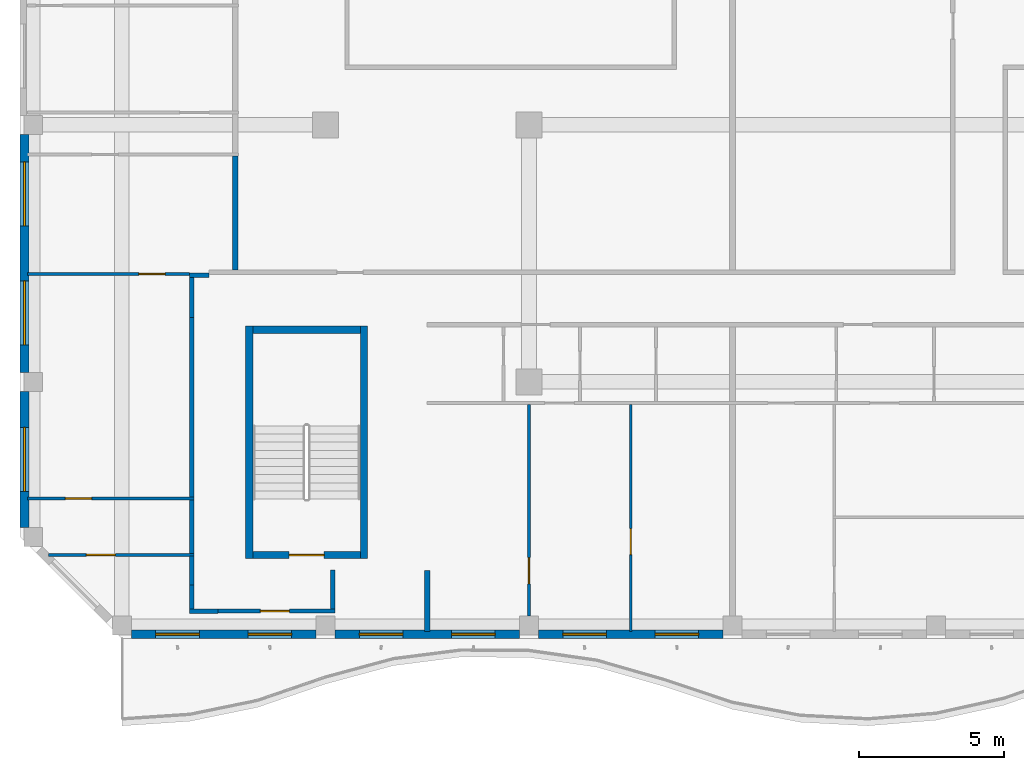
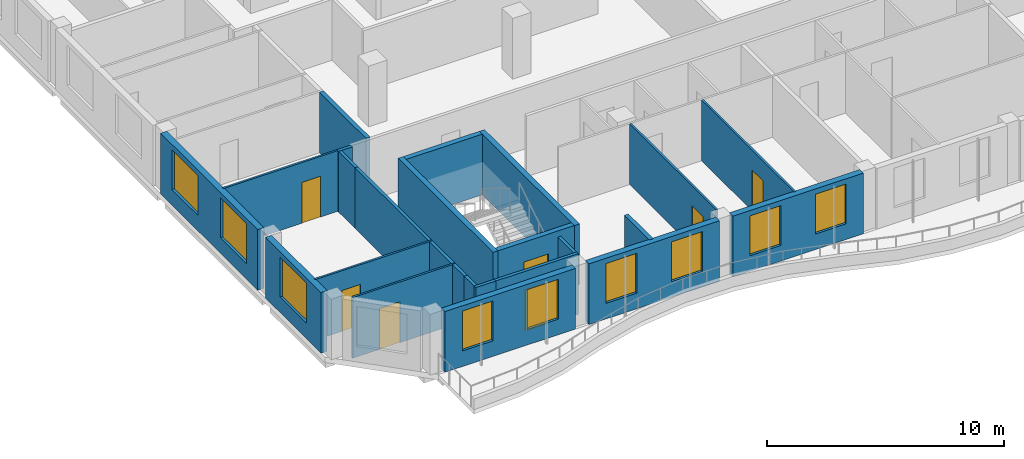
# One storey, part 2 of 18: 25 walls, 9 windows, 7 doors, 16 openings.
"""IFC4 building model written with IfcOpenShell, lengths in metres."""

from ifc_helpers import new_model, si_unit, direction, frame, frame_2d, origin, place, context, subcontext, project, spatial, rectangle, extrude, source, transform, mapped, material, layer, layer_set, type_object, element, fill, save


model = new_model("IFC4")

# Units and contexts
model_context = context("Model", 3, precision=1e-05, world=origin(), true_north=direction((0.0, 1.0)))
body_context = subcontext(model_context, "Body", "Model", "MODEL_VIEW")
ifc_project = project(units=[si_unit("LENGTHUNIT", "METRE"), si_unit("AREAUNIT", "SQUARE_METRE"), si_unit("VOLUMEUNIT", "CUBIC_METRE"), si_unit("PLANEANGLEUNIT", "RADIAN"), si_unit("MASSUNIT", "GRAM", prefix="KILO")], contexts=[model_context])

# Site, building, storey
site_placement = place(None, origin())
site = spatial("IfcSite", under=ifc_project, at=site_placement, CompositionType="ELEMENT")
building_placement = place(site_placement, origin())
building = spatial("IfcBuilding", under=site, at=building_placement, Name="Kilnfold Tower and Market Hall", CompositionType="ELEMENT")
storey_placement = place(building_placement, frame((0.0, 0.0, 277.199951171875)))
storey = spatial("IfcBuildingStorey", under=building, at=storey_placement, Name="L68", CompositionType="ELEMENT", Elevation=277.199951171875)

# Wall
ifc_material_1 = material(Name="Gypsum board on steel studs", Category="steel")
ifc_layer_1 = layer(ifc_material_1, 0.14990234375)
ifc_layer_set_1 = layer_set([ifc_layer_1], Name="Gypsum board on steel studs")
wall_type_1 = type_object("IfcWallType", Name="WALL CORRIDOR 150", PredefinedType="PARTITIONING", material=ifc_layer_set_1)
wall_1_placement = place(storey_placement, frame((-14.75, -17.47509765625, 0.0), z_axis=(0.0, 0.0, 1.0), x_axis=(0.0, 1.0, 0.0)))
element("IfcWall", 1, at=wall_1_placement, inside=storey, type_object=wall_type_1, Name="Partition LY42.1", PredefinedType="PARTITIONING", context=body_context, shape_type="SweptSolid", body=[
    extrude(rectangle(XDim=1.335205078125, YDim=0.14990234375, at=frame_2d((0.66748046875, 0.0))), origin(), (0.0, 0.0, 1.0), 3.1201171875),
])

# Wall, opening, door
wall_2_placement = place(storey_placement, frame((-18.697998046875, -17.550048828125, 0.0), z_axis=(0.0, 0.0, 1.0), x_axis=(1.0, 0.0, 0.0)))
wall_2 = element("IfcWall", 2, at=wall_2_placement, inside=storey, type_object=wall_type_1, Name="Partition LY42.2", PredefinedType="PARTITIONING", context=body_context, shape_type="SweptSolid", body=[
    extrude(rectangle(XDim=4.02294921875, YDim=0.14990234375, at=frame_2d((2.011474609375, 0.0))), origin(), (0.0, 0.0, 1.0), 3.1201171875),
])
opening_1_placement = place(wall_2_placement, frame((1.4599609375, 0.0, 0.0)))
opening_1 = element("IfcOpeningElement", 3, at=opening_1_placement, cuts=wall_2, Name="Opening D1", PredefinedType="OPENING", context=body_context, shape_type="SweptSolid", body=[
    extrude(rectangle(XDim=1.0, YDim=2.10009765625, at=frame_2d((0.5, 1.050048828125))), frame((0.0, 0.0849609375, 0.0), z_axis=(0.0, -1.0, 0.0), x_axis=(1.0, 0.0, 0.0)), (0.0, 0.0, 1.0), 0.169921875),
])
ifc_material_2 = material(Name="Timber veneer door leaf in steel frame", Category="steel")
door_type_1 = type_object("IfcDoorType", Name="DOOR ENTRY 1000 X2100", OperationType="NOTDEFINED", PredefinedType="DOOR", material=ifc_material_2)
door_1_placement = place(opening_1_placement, origin())
door_1 = element("IfcDoor", 4, at=door_1_placement, inside=storey, type_object=door_type_1, Name="Door D1", OperationType="SINGLE_SWING_RIGHT", OverallHeight=2.10009765625, OverallWidth=1.0, PredefinedType="DOOR", context=body_context, shape_type="SweptSolid", body=[
    extrude(rectangle(XDim=1.0, YDim=2.10009765625, at=frame_2d((0.5, 1.050048828125))), frame((0.0, 0.02490234375, 0.0), z_axis=(0.0, -1.0, 0.0), x_axis=(1.0, 0.0, 0.0)), (0.0, 0.0, 1.0), 0.050048828125),
])
fill(opening_1, door_1)

# Walls
wall_3_placement = place(storey_placement, frame((-19.677001953125, -17.552001953125, 0.0), z_axis=(0.0, 0.0, 1.0), x_axis=(1.0, 0.0, 0.0)))
element("IfcWall", 5, at=wall_3_placement, inside=storey, type_object=wall_type_1, Name="Partition LY42.3", PredefinedType="PARTITIONING", context=body_context, shape_type="SweptSolid", body=[
    extrude(rectangle(XDim=0.97900390625, YDim=0.14990234375, at=frame_2d((0.489501953125, 0.0))), origin(), (0.0, 0.0, 1.0), 3.1201171875),
])
wall_4_placement = place(storey_placement, frame((-19.60205078125, -17.47705078125, 0.0), z_axis=(0.0, 0.0, 1.0), x_axis=(0.0, 1.0, 0.0)))
element("IfcWall", 6, at=wall_4_placement, inside=storey, type_object=wall_type_1, Name="Partition LY42.4", PredefinedType="PARTITIONING", context=body_context, shape_type="SweptSolid", body=[
    extrude(rectangle(XDim=0.8291015625, YDim=0.14990234375, at=frame_2d((0.41455078125, 0.0))), origin(), (0.0, 0.0, 1.0), 3.1201171875),
])
wall_5_placement = place(storey_placement, frame((-19.60009765625, -16.64794921875, 0.0), z_axis=(0.0, 0.0, 1.0), x_axis=(0.0, 1.0, 0.0)))
element("IfcWall", 7, at=wall_5_placement, inside=storey, type_object=wall_type_1, Name="Partition LY42.5", PredefinedType="PARTITIONING", context=body_context, shape_type="SweptSolid", body=[
    extrude(rectangle(XDim=0.989990234375, YDim=0.14990234375, at=frame_2d((0.4951171875, 0.0))), origin(), (0.0, 0.0, 1.0), 3.1201171875),
])
wall_6_placement = place(storey_placement, frame((-19.60009765625, -15.577880859375, 0.0), z_axis=(0.0, 0.0, 1.0), x_axis=(0.0, 1.0, 0.0)))
element("IfcWall", 8, at=wall_6_placement, inside=storey, type_object=wall_type_1, Name="Partition LY42.6", PredefinedType="PARTITIONING", context=body_context, shape_type="SweptSolid", body=[
    extrude(rectangle(XDim=1.85498046875, YDim=0.14990234375, at=frame_2d((0.927490234375, 0.0))), origin(), (0.0, 0.0, 1.0), 3.1201171875),
])
wall_7_placement = place(storey_placement, frame((-19.0, -5.99609375, 0.0), z_axis=(0.0, 0.0, 1.0), x_axis=(-1.0, 0.0, 0.0)))
element("IfcWall", 9, at=wall_7_placement, inside=storey, type_object=wall_type_1, Name="Partition LY42.7", PredefinedType="PARTITIONING", context=body_context, shape_type="SweptSolid", body=[
    extrude(rectangle(XDim=0.677001953125, YDim=0.14990234375, at=frame_2d((0.33837890625, 0.0))), origin(), (0.0, 0.0, 1.0), 3.1201171875),
])
wall_8_placement = place(storey_placement, frame((-19.60009765625, -13.64306640625, 0.0), z_axis=(0.0, 0.0, 1.0), x_axis=(0.0, 1.0, 0.0)))
element("IfcWall", 10, at=wall_8_placement, inside=storey, type_object=wall_type_1, Name="Partition LY42.8", PredefinedType="PARTITIONING", context=body_context, shape_type="SweptSolid", body=[
    extrude(rectangle(XDim=6.191162109375, YDim=0.14990234375, at=frame_2d((3.095703125, 0.0))), origin(), (0.0, 0.0, 1.0), 3.1201171875),
])
wall_9_placement = place(storey_placement, frame((-19.60205078125, -7.451904296875, 0.0), z_axis=(0.0, 0.0, 1.0), x_axis=(0.0, 1.0, 0.0)))
element("IfcWall", 11, at=wall_9_placement, inside=storey, type_object=wall_type_1, Name="Partition LY42.9", PredefinedType="PARTITIONING", context=body_context, shape_type="SweptSolid", body=[
    extrude(rectangle(XDim=1.380859375, YDim=0.14990234375, at=frame_2d((0.6904296875, 0.0))), origin(), (0.0, 0.0, 1.0), 3.1201171875),
])

# Wall, opening, door
ifc_material_3 = material(Name="Gypsum board on steel studs", Category="steel")
ifc_layer_2 = layer(ifc_material_3, 0.10009765625)
ifc_layer_set_2 = layer_set([ifc_layer_2], Name="Gypsum board on steel studs")
wall_type_2 = type_object("IfcWallType", Name="WALL PARTITION 100", PredefinedType="PARTITIONING", material=ifc_layer_set_2)
wall_10_placement = place(storey_placement, frame((-19.527099609375, -15.617919921875, 0.0), z_axis=(0.0, 0.0, 1.0), x_axis=(-1.0, 0.0, 0.0)))
wall_10 = element("IfcWall", 12, at=wall_10_placement, inside=storey, type_object=wall_type_2, Name="Partition LY42.33", PredefinedType="PARTITIONING", context=body_context, shape_type="SweptSolid", body=[
    extrude(rectangle(XDim=5.0009765625, YDim=0.10009765625, at=frame_2d((2.50048828125, 0.0))), origin(), (0.0, 0.0, 1.0), 3.1201171875),
])
opening_2_placement = place(wall_10_placement, frame((2.700927734375, 0.0, 0.0)))
opening_2 = element("IfcOpeningElement", 13, at=opening_2_placement, cuts=wall_10, Name="Opening D1", PredefinedType="OPENING", context=body_context, shape_type="SweptSolid", body=[
    extrude(rectangle(XDim=1.0, YDim=2.10009765625, at=frame_2d((0.5, 1.050048828125))), frame((0.0, 0.06005859375, 0.0), z_axis=(0.0, -1.0, 0.0), x_axis=(1.0, 0.0, 0.0)), (0.0, 0.0, 1.0), 0.1201171875),
])
door_2_placement = place(opening_2_placement, origin())
door_2 = element("IfcDoor", 14, at=door_2_placement, inside=storey, type_object=door_type_1, Name="Door D1", OperationType="SINGLE_SWING_RIGHT", OverallHeight=2.10009765625, OverallWidth=1.0, PredefinedType="DOOR", context=body_context, shape_type="SweptSolid", body=[
    extrude(rectangle(XDim=1.0, YDim=2.10009765625, at=frame_2d((0.5, 1.050048828125))), frame((0.0, 0.02490234375, 0.0), z_axis=(0.0, -1.0, 0.0), x_axis=(1.0, 0.0, 0.0)), (0.0, 0.0, 1.0), 0.050048828125),
])
fill(opening_2, door_2)

wall_11_placement = place(storey_placement, frame((-19.527099609375, -13.68310546875, 0.0), z_axis=(0.0, 0.0, 1.0), x_axis=(-1.0, 0.0, 0.0)))
wall_11 = element("IfcWall", 15, at=wall_11_placement, inside=storey, type_object=wall_type_2, Name="Partition LY42.35", PredefinedType="PARTITIONING", context=body_context, shape_type="SweptSolid", body=[
    extrude(rectangle(XDim=5.722900390625, YDim=0.10009765625, at=frame_2d((2.861328125, 0.0))), origin(), (0.0, 0.0, 1.0), 3.1201171875),
])
opening_3_placement = place(wall_11_placement, frame((3.51708984375, 0.0, 0.0)))
opening_3 = element("IfcOpeningElement", 16, at=opening_3_placement, cuts=wall_11, Name="Opening D2", PredefinedType="OPENING", context=body_context, shape_type="SweptSolid", body=[
    extrude(rectangle(XDim=0.89990234375, YDim=2.10009765625, at=frame_2d((0.449951171875, 1.050048828125))), frame((0.0, 0.06005859375, 0.0), z_axis=(0.0, -1.0, 0.0), x_axis=(1.0, 0.0, 0.0)), (0.0, 0.0, 1.0), 0.1201171875),
])
ifc_material_4 = material(Name="Timber veneer door leaf in steel frame", Category="steel")
door_type_2 = type_object("IfcDoorType", Name="DOOR ROOM 900 X2100", OperationType="NOTDEFINED", PredefinedType="DOOR", material=ifc_material_4)
door_3_placement = place(opening_3_placement, origin())
door_3 = element("IfcDoor", 17, at=door_3_placement, inside=storey, type_object=door_type_2, Name="Door D2", OperationType="SINGLE_SWING_RIGHT", OverallHeight=2.10009765625, OverallWidth=0.89990234375, PredefinedType="DOOR", context=body_context, shape_type="SweptSolid", body=[
    extrude(rectangle(XDim=0.89990234375, YDim=2.10009765625, at=frame_2d((0.449951171875, 1.050048828125))), frame((0.0, 0.02490234375, 0.0), z_axis=(0.0, -1.0, 0.0), x_axis=(1.0, 0.0, 0.0)), (0.0, 0.0, 1.0), 0.050048828125),
])
fill(opening_3, door_3)

wall_12_placement = place(storey_placement, frame((-19.677001953125, -5.9580078125, 0.0), z_axis=(0.0, 0.0, 1.0), x_axis=(-1.0, 0.0, 0.0)))
wall_12 = element("IfcWall", 18, at=wall_12_placement, inside=storey, type_object=wall_type_2, Name="Partition LY42.36", PredefinedType="PARTITIONING", context=body_context, shape_type="SweptSolid", body=[
    extrude(rectangle(XDim=5.572998046875, YDim=0.10009765625, at=frame_2d((2.78662109375, 0.0))), origin(), (0.0, 0.0, 1.0), 3.1201171875),
])
opening_4_placement = place(wall_12_placement, frame((0.837890625, 0.0, 0.0)))
opening_4 = element("IfcOpeningElement", 19, at=opening_4_placement, cuts=wall_12, Name="Opening D2", PredefinedType="OPENING", context=body_context, shape_type="SweptSolid", body=[
    extrude(rectangle(XDim=0.89990234375, YDim=2.10009765625, at=frame_2d((0.449951171875, 1.050048828125))), frame((0.0, 0.06005859375, 0.0), z_axis=(0.0, -1.0, 0.0), x_axis=(1.0, 0.0, 0.0)), (0.0, 0.0, 1.0), 0.1201171875),
])
door_4_placement = place(opening_4_placement, origin())
door_4 = element("IfcDoor", 20, at=door_4_placement, inside=storey, type_object=door_type_2, Name="Door D2", OperationType="SINGLE_SWING_RIGHT", OverallHeight=2.10009765625, OverallWidth=0.89990234375, PredefinedType="DOOR", context=body_context, shape_type="SweptSolid", body=[
    extrude(rectangle(XDim=0.89990234375, YDim=2.10009765625, at=frame_2d((0.449951171875, 1.050048828125))), frame((0.0, 0.02490234375, 0.0), z_axis=(0.0, -1.0, 0.0), x_axis=(1.0, 0.0, 0.0)), (0.0, 0.0, 1.0), 0.050048828125),
])
fill(opening_4, door_4)

wall_13_placement = place(storey_placement, frame((-8.0, -17.72509765625, 0.0), z_axis=(0.0, 0.0, 1.0), x_axis=(0.0, 1.0, 0.0)))
wall_13 = element("IfcWall", 21, at=wall_13_placement, inside=storey, type_object=wall_type_2, Name="Partition LY42.51", PredefinedType="PARTITIONING", context=body_context, shape_type="SweptSolid", body=[
    extrude(rectangle(XDim=7.273193359375, YDim=0.10009765625, at=frame_2d((3.63671875, 0.0))), origin(), (0.0, 0.0, 1.0), 3.1201171875),
])
opening_5_placement = place(wall_13_placement, frame((1.111083984375, 0.0, 0.0)))
opening_5 = element("IfcOpeningElement", 22, at=opening_5_placement, cuts=wall_13, Name="Opening D2", PredefinedType="OPENING", context=body_context, shape_type="SweptSolid", body=[
    extrude(rectangle(XDim=0.89990234375, YDim=2.10009765625, at=frame_2d((0.449951171875, 1.050048828125))), frame((0.0, 0.06005859375, 0.0), z_axis=(0.0, -1.0, 0.0), x_axis=(1.0, 0.0, 0.0)), (0.0, 0.0, 1.0), 0.1201171875),
])
door_5_placement = place(opening_5_placement, origin())
door_5 = element("IfcDoor", 23, at=door_5_placement, inside=storey, type_object=door_type_2, Name="Door D2", OperationType="SINGLE_SWING_LEFT", OverallHeight=2.10009765625, OverallWidth=0.89990234375, PredefinedType="DOOR", context=body_context, shape_type="SweptSolid", body=[
    extrude(rectangle(XDim=0.89990234375, YDim=2.10009765625, at=frame_2d((0.449951171875, 1.050048828125))), frame((0.0, 0.02490234375, 0.0), z_axis=(0.0, -1.0, 0.0), x_axis=(1.0, 0.0, 0.0)), (0.0, 0.0, 1.0), 0.050048828125),
])
fill(opening_5, door_5)

wall_14_placement = place(storey_placement, frame((-4.5, -18.25, 0.0), z_axis=(0.0, 0.0, 1.0), x_axis=(0.0, 1.0, 0.0)))
wall_14 = element("IfcWall", 24, at=wall_14_placement, inside=storey, type_object=wall_type_2, Name="Partition LY42.52", PredefinedType="PARTITIONING", context=body_context, shape_type="SweptSolid", body=[
    extrude(rectangle(XDim=7.798095703125, YDim=0.10009765625, at=frame_2d((3.89892578125, 0.0))), origin(), (0.0, 0.0, 1.0), 3.1201171875),
])
opening_6_placement = place(wall_14_placement, frame((2.636962890625, 0.0, 0.0)))
opening_6 = element("IfcOpeningElement", 25, at=opening_6_placement, cuts=wall_14, Name="Opening D2", PredefinedType="OPENING", context=body_context, shape_type="SweptSolid", body=[
    extrude(rectangle(XDim=0.89990234375, YDim=2.10009765625, at=frame_2d((0.449951171875, 1.050048828125))), frame((0.0, 0.06005859375, 0.0), z_axis=(0.0, -1.0, 0.0), x_axis=(1.0, 0.0, 0.0)), (0.0, 0.0, 1.0), 0.1201171875),
])
door_6_placement = place(opening_6_placement, origin())
door_6 = element("IfcDoor", 26, at=door_6_placement, inside=storey, type_object=door_type_2, Name="Door D2", OperationType="SINGLE_SWING_LEFT", OverallHeight=2.10009765625, OverallWidth=0.89990234375, PredefinedType="DOOR", context=body_context, shape_type="SweptSolid", body=[
    extrude(rectangle(XDim=0.89990234375, YDim=2.10009765625, at=frame_2d((0.449951171875, 1.050048828125))), frame((0.0, 0.02490234375, 0.0), z_axis=(0.0, -1.0, 0.0), x_axis=(1.0, 0.0, 0.0)), (0.0, 0.0, 1.0), 0.050048828125),
])
fill(opening_6, door_6)

# Walls
ifc_material_5 = material(Name="Gypsum board on steel studs", Category="steel")
ifc_layer_3 = layer(ifc_material_5, 0.199951171875)
ifc_layer_set_3 = layer_set([ifc_layer_3], Name="Gypsum board on steel studs")
wall_type_3 = type_object("IfcWallType", Name="WALL PARTY 200", PredefinedType="PARTITIONING", material=ifc_layer_set_3)
wall_15_placement = place(storey_placement, frame((-11.5, -18.25, 0.0), z_axis=(0.0, 0.0, 1.0), x_axis=(0.0, 1.0, 0.0)))
element("IfcWall", 27, at=wall_15_placement, inside=storey, type_object=wall_type_3, Name="Partition LY42.34", PredefinedType="PARTITIONING", context=body_context, shape_type="SweptSolid", body=[
    extrude(rectangle(XDim=2.10009765625, YDim=0.199951171875, at=frame_2d((1.050048828125, 0.0))), origin(), (0.0, 0.0, 1.0), 3.1201171875),
])
wall_16_placement = place(storey_placement, frame((-18.10009765625, -5.822998046875, 0.0), z_axis=(0.0, 0.0, 1.0), x_axis=(0.0, 1.0, 0.0)))
element("IfcWall", 28, at=wall_16_placement, inside=storey, type_object=wall_type_3, Name="Partition LY42.38", PredefinedType="PARTITIONING", context=body_context, shape_type="SweptSolid", body=[
    extrude(rectangle(XDim=3.930908203125, YDim=0.199951171875, at=frame_2d((1.96533203125, 0.0))), origin(), (0.0, 0.0, 1.0), 3.1201171875),
])

# Wall, opening, door
ifc_material_6 = material(Name="Concrete C50", Category="concrete")
ifc_layer_4 = layer(ifc_material_6, 0.25)
ifc_layer_set_4 = layer_set([ifc_layer_4], Name="Concrete C50")
wall_type_4 = type_object("IfcWallType", Name="CORE WALL 250 C50", PredefinedType="SHEAR", material=ifc_layer_set_4)
shared_shape_1 = source(origin(), body_context, "Body", "SweptSolid", [
    extrude(rectangle(XDim=3.699951171875, YDim=0.25, at=frame_2d((1.85009765625, 0.0))), origin(), (0.0, 0.0, 1.0), 3.1201171875),
])
wall_17_placement = place(storey_placement, frame((-17.5, -15.625, 0.0), z_axis=(0.0, 0.0, 1.0), x_axis=(1.0, 0.0, 0.0)))
wall_17 = element("IfcWall", 29, at=wall_17_placement, inside=storey, type_object=wall_type_4, Name="Stair enclosure ST3", PredefinedType="SHEAR", context=body_context, shape_type="MappedRepresentation", body=[
    mapped(shared_shape_1, transform((0.0, 0.0, 0.0))),
])
opening_7_placement = place(wall_17_placement, frame((1.25, 0.0, 0.0)))
opening_7 = element("IfcOpeningElement", 30, at=opening_7_placement, cuts=wall_17, Name="Opening SD1", PredefinedType="OPENING", context=body_context, shape_type="SweptSolid", body=[
    extrude(rectangle(XDim=1.199951171875, YDim=2.10009765625, at=frame_2d((0.60009765625, 1.050048828125))), frame((0.0, 0.135009765625, 0.0), z_axis=(0.0, -1.0, 0.0), x_axis=(1.0, 0.0, 0.0)), (0.0, 0.0, 1.0), 0.27001953125),
])
ifc_material_7 = material(Name="Steel door set with fire-resisting leaf", Category="steel")
door_type_3 = type_object("IfcDoorType", Name="STAIR FLOOR DOOR 1200X2100", OperationType="NOTDEFINED", PredefinedType="DOOR", material=ifc_material_7)
door_7_placement = place(opening_7_placement, origin())
door_7 = element("IfcDoor", 31, at=door_7_placement, inside=storey, type_object=door_type_3, Name="Exit stair ST3 door", OperationType="DOUBLE_DOOR_SINGLE_SWING", OverallHeight=2.10009765625, OverallWidth=1.199951171875, PredefinedType="DOOR", context=body_context, shape_type="SweptSolid", body=[
    extrude(rectangle(XDim=1.199951171875, YDim=2.10009765625, at=frame_2d((0.60009765625, 1.050048828125))), frame((0.0, 0.02490234375, 0.0), z_axis=(0.0, -1.0, 0.0), x_axis=(1.0, 0.0, 0.0)), (0.0, 0.0, 1.0), 0.050048828125),
])
fill(opening_7, door_7)

# Walls
wall_18_placement = place(storey_placement, frame((-17.5, -7.875, 0.0), z_axis=(0.0, 0.0, 1.0), x_axis=(1.0, 0.0, 0.0)))
element("IfcWall", 32, at=wall_18_placement, inside=storey, type_object=wall_type_4, Name="Stair enclosure ST3", PredefinedType="SHEAR", context=body_context, shape_type="MappedRepresentation", body=[
    mapped(shared_shape_1, transform((0.0, 0.0, 0.0))),
])
shared_shape_2 = source(origin(), body_context, "Body", "SweptSolid", [
    extrude(rectangle(XDim=8.0, YDim=0.25, at=frame_2d((4.0, 0.0))), origin(), (0.0, 0.0, 1.0), 3.1201171875),
])
for number, where, z_axis, x_axis, name in (
    (33, (-17.625, -15.75, 0.0), (0.0, 0.0, 1.0), (0.0, 1.0, 0.0), "Stair enclosure ST3"),
    (34, (-13.675048828125, -15.75, 0.0), (0.0, 0.0, 1.0), (0.0, 1.0, 0.0), "Stair enclosure ST3"),
):
    element("IfcWall", number, at=place(storey_placement, frame(where, z_axis=z_axis, x_axis=x_axis)), inside=storey, type_object=wall_type_4, Name=name, PredefinedType="SHEAR", context=body_context, shape_type="MappedRepresentation", body=[
        mapped(shared_shape_2, transform((0.0, 0.0, 0.0))),
    ])

# Wall, openings, windows
ifc_material_8 = material(Name="Precast concrete C50/60", Category="concrete")
ifc_layer_5 = layer(ifc_material_8, 0.300048828125)
ifc_layer_set_5 = layer_set([ifc_layer_5], Name="Precast concrete C50/60")
wall_type_5 = type_object("IfcWallType", Name="PRECAST WALL 300", PredefinedType="SOLIDWALL", material=ifc_layer_set_5)
shared_shape_3 = source(origin(), body_context, "Body", "SweptSolid", [
    extrude(rectangle(XDim=6.35009765625, YDim=0.300048828125, at=frame_2d((3.175048828125, 0.0))), origin(), (0.0, 0.0, 1.0), 3.1201171875),
])
wall_19_placement = place(storey_placement, frame((-21.675048828125, -18.35009765625, 0.0), z_axis=(0.0, 0.0, 1.0), x_axis=(1.0, 0.0, 0.0)))
wall_19 = element("IfcWall", 35, at=wall_19_placement, inside=storey, type_object=wall_type_5, Name="External wall L68 S", PredefinedType="SOLIDWALL", context=body_context, shape_type="MappedRepresentation", body=[
    mapped(shared_shape_3, transform((0.0, 0.0, 0.0))),
])
opening_8_placement = place(wall_19_placement, frame((0.83740234375, 0.0, 0.800048828125)))
opening_8 = element("IfcOpeningElement", 36, at=opening_8_placement, cuts=wall_19, Name="Opening W5", PredefinedType="OPENING", context=body_context, shape_type="SweptSolid", body=[
    extrude(rectangle(XDim=1.5, YDim=2.050048828125, at=frame_2d((0.75, 1.02490234375))), frame((0.0, 0.16015625, 0.0), z_axis=(0.0, -1.0, 0.0), x_axis=(1.0, 0.0, 0.0)), (0.0, 0.0, 1.0), 0.320068359375),
])
opening_9_placement = place(wall_19_placement, frame((4.012451171875, 0.0, 0.800048828125)))
opening_9 = element("IfcOpeningElement", 37, at=opening_9_placement, cuts=wall_19, Name="Opening W5", PredefinedType="OPENING", context=body_context, shape_type="SweptSolid", body=[
    extrude(rectangle(XDim=1.5, YDim=2.050048828125, at=frame_2d((0.75, 1.02490234375))), frame((0.0, 0.16015625, 0.0), z_axis=(0.0, -1.0, 0.0), x_axis=(1.0, 0.0, 0.0)), (0.0, 0.0, 1.0), 0.320068359375),
])
ifc_material_9 = material(Name="Aluminium frame and double glazing", Category="aluminium")
window_type_1 = type_object("IfcWindowType", Name="WINDOW W5 1500X2050", PartitioningType="SINGLE_PANEL", PredefinedType="WINDOW", material=ifc_material_9)
window_1_placement = place(opening_8_placement, origin())
window_1 = element("IfcWindow", 38, at=window_1_placement, inside=storey, type_object=window_type_1, Name="Window W5 L68 S-1", OverallHeight=2.050048828125, OverallWidth=1.5, PartitioningType="SINGLE_PANEL", PredefinedType="WINDOW", context=body_context, shape_type="SweptSolid", body=[
    extrude(rectangle(XDim=1.5, YDim=2.050048828125, at=frame_2d((0.75, 1.02490234375))), frame((0.0, 0.030029296875, 0.0), z_axis=(0.0, -1.0, 0.0), x_axis=(1.0, 0.0, 0.0)), (0.0, 0.0, 1.0), 0.06005859375),
])
fill(opening_8, window_1)
window_2_placement = place(opening_9_placement, origin())
window_2 = element("IfcWindow", 39, at=window_2_placement, inside=storey, type_object=window_type_1, Name="Window W5 L68 S-2", OverallHeight=2.050048828125, OverallWidth=1.5, PartitioningType="SINGLE_PANEL", PredefinedType="WINDOW", context=body_context, shape_type="SweptSolid", body=[
    extrude(rectangle(XDim=1.5, YDim=2.050048828125, at=frame_2d((0.75, 1.02490234375))), frame((0.0, 0.030029296875, 0.0), z_axis=(0.0, -1.0, 0.0), x_axis=(1.0, 0.0, 0.0)), (0.0, 0.0, 1.0), 0.06005859375),
])
fill(opening_9, window_2)

wall_20_placement = place(storey_placement, frame((-14.675048828125, -18.35009765625, 0.0), z_axis=(0.0, 0.0, 1.0), x_axis=(1.0, 0.0, 0.0)))
wall_20 = element("IfcWall", 40, at=wall_20_placement, inside=storey, type_object=wall_type_5, Name="External wall L68 S", PredefinedType="SOLIDWALL", context=body_context, shape_type="MappedRepresentation", body=[
    mapped(shared_shape_3, transform((0.0, 0.0, 0.0))),
])
opening_10_placement = place(wall_20_placement, frame((0.83740234375, 0.0, 0.800048828125)))
opening_10 = element("IfcOpeningElement", 41, at=opening_10_placement, cuts=wall_20, Name="Opening W5", PredefinedType="OPENING", context=body_context, shape_type="SweptSolid", body=[
    extrude(rectangle(XDim=1.5, YDim=2.050048828125, at=frame_2d((0.75, 1.02490234375))), frame((0.0, 0.16015625, 0.0), z_axis=(0.0, -1.0, 0.0), x_axis=(1.0, 0.0, 0.0)), (0.0, 0.0, 1.0), 0.320068359375),
])
opening_11_placement = place(wall_20_placement, frame((4.012451171875, 0.0, 0.800048828125)))
opening_11 = element("IfcOpeningElement", 42, at=opening_11_placement, cuts=wall_20, Name="Opening W5", PredefinedType="OPENING", context=body_context, shape_type="SweptSolid", body=[
    extrude(rectangle(XDim=1.5, YDim=2.050048828125, at=frame_2d((0.75, 1.02490234375))), frame((0.0, 0.16015625, 0.0), z_axis=(0.0, -1.0, 0.0), x_axis=(1.0, 0.0, 0.0)), (0.0, 0.0, 1.0), 0.320068359375),
])
window_3_placement = place(opening_10_placement, origin())
window_3 = element("IfcWindow", 43, at=window_3_placement, inside=storey, type_object=window_type_1, Name="Window W5 L68 S-1", OverallHeight=2.050048828125, OverallWidth=1.5, PartitioningType="SINGLE_PANEL", PredefinedType="WINDOW", context=body_context, shape_type="SweptSolid", body=[
    extrude(rectangle(XDim=1.5, YDim=2.050048828125, at=frame_2d((0.75, 1.02490234375))), frame((0.0, 0.030029296875, 0.0), z_axis=(0.0, -1.0, 0.0), x_axis=(1.0, 0.0, 0.0)), (0.0, 0.0, 1.0), 0.06005859375),
])
fill(opening_10, window_3)
window_4_placement = place(opening_11_placement, origin())
window_4 = element("IfcWindow", 44, at=window_4_placement, inside=storey, type_object=window_type_1, Name="Window W5 L68 S-2", OverallHeight=2.050048828125, OverallWidth=1.5, PartitioningType="SINGLE_PANEL", PredefinedType="WINDOW", context=body_context, shape_type="SweptSolid", body=[
    extrude(rectangle(XDim=1.5, YDim=2.050048828125, at=frame_2d((0.75, 1.02490234375))), frame((0.0, 0.030029296875, 0.0), z_axis=(0.0, -1.0, 0.0), x_axis=(1.0, 0.0, 0.0)), (0.0, 0.0, 1.0), 0.06005859375),
])
fill(opening_11, window_4)

wall_21_placement = place(storey_placement, frame((-7.675048828125, -18.35009765625, 0.0), z_axis=(0.0, 0.0, 1.0), x_axis=(1.0, 0.0, 0.0)))
wall_21 = element("IfcWall", 45, at=wall_21_placement, inside=storey, type_object=wall_type_5, Name="External wall L68 S", PredefinedType="SOLIDWALL", context=body_context, shape_type="MappedRepresentation", body=[
    mapped(shared_shape_3, transform((0.0, 0.0, 0.0))),
])
opening_12_placement = place(wall_21_placement, frame((0.83740234375, 0.0, 0.800048828125)))
opening_12 = element("IfcOpeningElement", 46, at=opening_12_placement, cuts=wall_21, Name="Opening W5", PredefinedType="OPENING", context=body_context, shape_type="SweptSolid", body=[
    extrude(rectangle(XDim=1.5, YDim=2.050048828125, at=frame_2d((0.75, 1.02490234375))), frame((0.0, 0.16015625, 0.0), z_axis=(0.0, -1.0, 0.0), x_axis=(1.0, 0.0, 0.0)), (0.0, 0.0, 1.0), 0.320068359375),
])
opening_13_placement = place(wall_21_placement, frame((4.012451171875, 0.0, 0.800048828125)))
opening_13 = element("IfcOpeningElement", 47, at=opening_13_placement, cuts=wall_21, Name="Opening W5", PredefinedType="OPENING", context=body_context, shape_type="SweptSolid", body=[
    extrude(rectangle(XDim=1.5, YDim=2.050048828125, at=frame_2d((0.75, 1.02490234375))), frame((0.0, 0.16015625, 0.0), z_axis=(0.0, -1.0, 0.0), x_axis=(1.0, 0.0, 0.0)), (0.0, 0.0, 1.0), 0.320068359375),
])
window_5_placement = place(opening_12_placement, origin())
window_5 = element("IfcWindow", 48, at=window_5_placement, inside=storey, type_object=window_type_1, Name="Window W5 L68 S-1", OverallHeight=2.050048828125, OverallWidth=1.5, PartitioningType="SINGLE_PANEL", PredefinedType="WINDOW", context=body_context, shape_type="SweptSolid", body=[
    extrude(rectangle(XDim=1.5, YDim=2.050048828125, at=frame_2d((0.75, 1.02490234375))), frame((0.0, 0.030029296875, 0.0), z_axis=(0.0, -1.0, 0.0), x_axis=(1.0, 0.0, 0.0)), (0.0, 0.0, 1.0), 0.06005859375),
])
fill(opening_12, window_5)
window_6_placement = place(opening_13_placement, origin())
window_6 = element("IfcWindow", 49, at=window_6_placement, inside=storey, type_object=window_type_1, Name="Window W5 L68 S-2", OverallHeight=2.050048828125, OverallWidth=1.5, PartitioningType="SINGLE_PANEL", PredefinedType="WINDOW", context=body_context, shape_type="SweptSolid", body=[
    extrude(rectangle(XDim=1.5, YDim=2.050048828125, at=frame_2d((0.75, 1.02490234375))), frame((0.0, 0.030029296875, 0.0), z_axis=(0.0, -1.0, 0.0), x_axis=(1.0, 0.0, 0.0)), (0.0, 0.0, 1.0), 0.06005859375),
])
fill(opening_13, window_6)

shared_shape_4 = source(origin(), body_context, "Body", "SweptSolid", [
    extrude(rectangle(XDim=8.18359375, YDim=0.300048828125, at=frame_2d((4.091796875, 0.0))), origin(), (0.0, 0.0, 1.0), 3.1201171875),
])
wall_22_placement = place(storey_placement, frame((-25.35009765625, -1.158203125, 0.0), z_axis=(0.0, 0.0, 1.0), x_axis=(0.0, -1.0, 0.0)))
wall_22 = element("IfcWall", 50, at=wall_22_placement, inside=storey, type_object=wall_type_5, Name="External wall L68 W", PredefinedType="SOLIDWALL", context=body_context, shape_type="MappedRepresentation", body=[
    mapped(shared_shape_4, transform((0.0, 0.0, 0.0))),
])
opening_14_placement = place(wall_22_placement, frame((0.94580078125, 0.0, 0.800048828125)))
opening_14 = element("IfcOpeningElement", 51, at=opening_14_placement, cuts=wall_22, Name="Opening W3", PredefinedType="OPENING", context=body_context, shape_type="SweptSolid", body=[
    extrude(rectangle(XDim=2.199951171875, YDim=2.050048828125, at=frame_2d((1.10009765625, 1.02490234375))), frame((0.0, 0.16015625, 0.0), z_axis=(0.0, -1.0, 0.0), x_axis=(1.0, 0.0, 0.0)), (0.0, 0.0, 1.0), 0.320068359375),
])
opening_15_placement = place(wall_22_placement, frame((5.03759765625, 0.0, 0.800048828125)))
opening_15 = element("IfcOpeningElement", 52, at=opening_15_placement, cuts=wall_22, Name="Opening W3", PredefinedType="OPENING", context=body_context, shape_type="SweptSolid", body=[
    extrude(rectangle(XDim=2.199951171875, YDim=2.050048828125, at=frame_2d((1.10009765625, 1.02490234375))), frame((0.0, 0.16015625, 0.0), z_axis=(0.0, -1.0, 0.0), x_axis=(1.0, 0.0, 0.0)), (0.0, 0.0, 1.0), 0.320068359375),
])
ifc_material_10 = material(Name="Aluminium frame and double glazing", Category="aluminium")
window_type_2 = type_object("IfcWindowType", Name="WINDOW W3 2200X2050", PartitioningType="SINGLE_PANEL", PredefinedType="WINDOW", material=ifc_material_10)
window_7_placement = place(opening_14_placement, origin())
window_7 = element("IfcWindow", 53, at=window_7_placement, inside=storey, type_object=window_type_2, Name="Window W3 L68 W-1", OverallHeight=2.050048828125, OverallWidth=2.199951171875, PartitioningType="SINGLE_PANEL", PredefinedType="WINDOW", context=body_context, shape_type="SweptSolid", body=[
    extrude(rectangle(XDim=2.199951171875, YDim=2.050048828125, at=frame_2d((1.10009765625, 1.02490234375))), frame((0.0, 0.030029296875, 0.0), z_axis=(0.0, -1.0, 0.0), x_axis=(1.0, 0.0, 0.0)), (0.0, 0.0, 1.0), 0.06005859375),
])
fill(opening_14, window_7)
window_8_placement = place(opening_15_placement, origin())
window_8 = element("IfcWindow", 54, at=window_8_placement, inside=storey, type_object=window_type_2, Name="Window W3 L68 W-2", OverallHeight=2.050048828125, OverallWidth=2.199951171875, PartitioningType="SINGLE_PANEL", PredefinedType="WINDOW", context=body_context, shape_type="SweptSolid", body=[
    extrude(rectangle(XDim=2.199951171875, YDim=2.050048828125, at=frame_2d((1.10009765625, 1.02490234375))), frame((0.0, 0.030029296875, 0.0), z_axis=(0.0, -1.0, 0.0), x_axis=(1.0, 0.0, 0.0)), (0.0, 0.0, 1.0), 0.06005859375),
])
fill(opening_15, window_8)

# Wall, opening, window
shared_shape_5 = source(origin(), body_context, "Body", "SweptSolid", [
    extrude(rectangle(XDim=4.683349609375, YDim=0.300048828125, at=frame_2d((2.341796875, 0.0))), origin(), (0.0, 0.0, 1.0), 3.1201171875),
])
wall_23_placement = place(storey_placement, frame((-25.35009765625, -9.99169921875, 0.0), z_axis=(0.0, 0.0, 1.0), x_axis=(0.0, -1.0, 0.0)))
wall_23 = element("IfcWall", 55, at=wall_23_placement, inside=storey, type_object=wall_type_5, Name="External wall L68 W", PredefinedType="SOLIDWALL", context=body_context, shape_type="MappedRepresentation", body=[
    mapped(shared_shape_5, transform((0.0, 0.0, 0.0))),
])
opening_16_placement = place(wall_23_placement, frame((1.24169921875, 0.0, 0.800048828125)))
opening_16 = element("IfcOpeningElement", 56, at=opening_16_placement, cuts=wall_23, Name="Opening W3", PredefinedType="OPENING", context=body_context, shape_type="SweptSolid", body=[
    extrude(rectangle(XDim=2.199951171875, YDim=2.050048828125, at=frame_2d((1.10009765625, 1.02490234375))), frame((0.0, 0.16015625, 0.0), z_axis=(0.0, -1.0, 0.0), x_axis=(1.0, 0.0, 0.0)), (0.0, 0.0, 1.0), 0.320068359375),
])
window_9_placement = place(opening_16_placement, origin())
window_9 = element("IfcWindow", 57, at=window_9_placement, inside=storey, type_object=window_type_2, Name="Window W3 L68 W-1", OverallHeight=2.050048828125, OverallWidth=2.199951171875, PartitioningType="SINGLE_PANEL", PredefinedType="WINDOW", context=body_context, shape_type="SweptSolid", body=[
    extrude(rectangle(XDim=2.199951171875, YDim=2.050048828125, at=frame_2d((1.10009765625, 1.02490234375))), frame((0.0, 0.030029296875, 0.0), z_axis=(0.0, -1.0, 0.0), x_axis=(1.0, 0.0, 0.0)), (0.0, 0.0, 1.0), 0.06005859375),
])
fill(opening_16, window_9)

save(model, "model.ifc")
